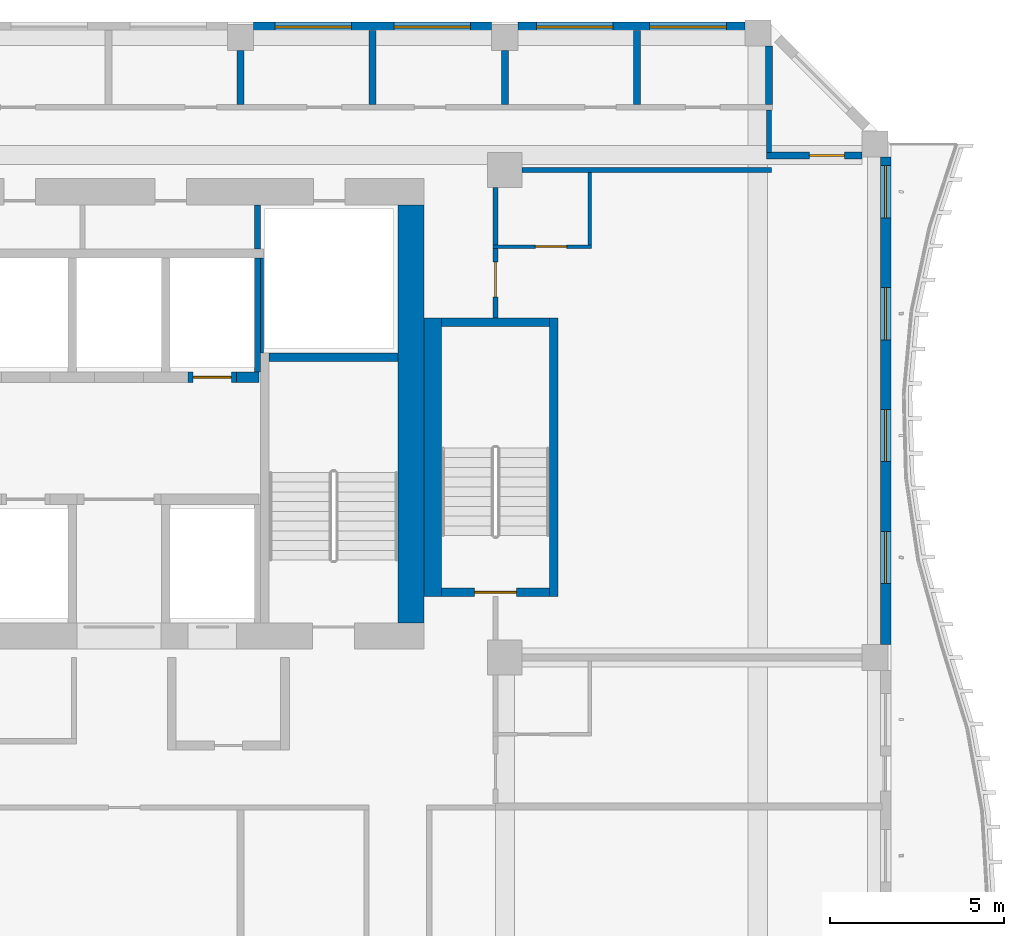
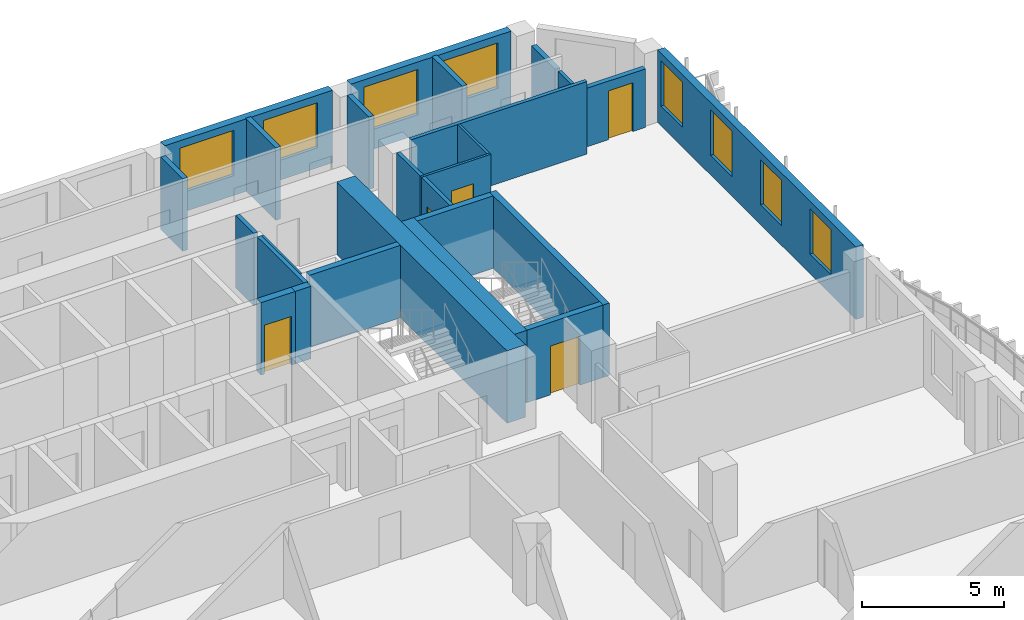
# One storey, part 10 of 23: 26 walls, 8 windows, 5 doors, 13 openings.
"""IFC4 building model written with IfcOpenShell, lengths in metres."""

from ifc_helpers import new_model, si_unit, direction, frame, frame_2d, origin, place, context, subcontext, project, spatial, rectangle, extrude, source, transform, mapped, material, layer, layer_set, type_object, element, fill, save


model = new_model("IFC4")

# Units and contexts
model_context = context("Model", 3, precision=1e-05, world=origin(), true_north=direction((0.0, 1.0)))
body_context = subcontext(model_context, "Body", "Model", "MODEL_VIEW")
ifc_project = project(units=[si_unit("LENGTHUNIT", "METRE"), si_unit("AREAUNIT", "SQUARE_METRE"), si_unit("VOLUMEUNIT", "CUBIC_METRE"), si_unit("PLANEANGLEUNIT", "RADIAN"), si_unit("MASSUNIT", "GRAM", prefix="KILO")], contexts=[model_context])

# Site, building, storey
site_placement = place(None, origin())
site = spatial("IfcSite", under=ifc_project, at=site_placement, CompositionType="ELEMENT")
building_placement = place(site_placement, origin())
building = spatial("IfcBuilding", under=site, at=building_placement, Name="Kilnfold Tower and Market Hall", CompositionType="ELEMENT")
storey_placement = place(building_placement, frame((0.0, 0.0, 203.300048828125)))
storey = spatial("IfcBuildingStorey", under=building, at=storey_placement, Name="L49", CompositionType="ELEMENT", Elevation=203.300048828125)

# Wall, opening, door
ifc_material_1 = material(Name="Gypsum board on steel studs", Category="steel")
ifc_layer_1 = layer(ifc_material_1, 0.14990234375)
ifc_layer_set_1 = layer_set([ifc_layer_1], Name="Gypsum board on steel studs")
wall_type_1 = type_object("IfcWallType", Name="WALL CORRIDOR 150", PredefinedType="PARTITIONING", material=ifc_layer_set_1)
wall_1_placement = place(storey_placement, frame((19.89990234375, 17.75, 0.0), z_axis=(0.0, 0.0, 1.0), x_axis=(0.0, 1.0, 0.0)))
wall_1 = element("IfcWall", 1, at=wall_1_placement, inside=storey, type_object=wall_type_1, Name="Partition LY30.20", PredefinedType="PARTITIONING", context=body_context, shape_type="SweptSolid", body=[
    extrude(rectangle(XDim=2.010009765625, YDim=0.14990234375, at=frame_2d((1.0048828125, 0.0))), origin(), (0.0, 0.0, 1.0), 3.119873046875),
])
opening_1_placement = place(wall_1_placement, frame((0.60693359375, 0.0, 0.0)))
opening_1 = element("IfcOpeningElement", 2, at=opening_1_placement, cuts=wall_1, Name="Opening D1", PredefinedType="OPENING", context=body_context, shape_type="SweptSolid", body=[
    extrude(rectangle(XDim=1.0, YDim=2.10009765625, at=frame_2d((0.5, 1.050048828125))), frame((0.0, 0.0849609375, 0.0), z_axis=(0.0, -1.0, 0.0), x_axis=(1.0, 0.0, 0.0)), (0.0, 0.0, 1.0), 0.169921875),
])
ifc_material_2 = material(Name="Timber veneer door leaf in steel frame", Category="steel")
door_type_1 = type_object("IfcDoorType", Name="DOOR ENTRY 1000 X2100", OperationType="NOTDEFINED", PredefinedType="DOOR", material=ifc_material_2)
door_1_placement = place(opening_1_placement, origin())
door_1 = element("IfcDoor", 3, at=door_1_placement, inside=storey, type_object=door_type_1, Name="Door D1", OperationType="SINGLE_SWING_LEFT", OverallHeight=2.10009765625, OverallWidth=1.0, PredefinedType="DOOR", context=body_context, shape_type="SweptSolid", body=[
    extrude(rectangle(XDim=1.0, YDim=2.10009765625, at=frame_2d((0.5, 1.050048828125))), frame((0.0, 0.02490234375, 0.0), z_axis=(0.0, -1.0, 0.0), x_axis=(1.0, 0.0, 0.0)), (0.0, 0.0, 1.0), 0.050048828125),
])
fill(opening_1, door_1)

# Walls
wall_2_placement = place(storey_placement, frame((20.6669921875, 22.0, 0.0), z_axis=(0.0, 0.0, 1.0), x_axis=(1.0, 0.0, 0.0)))
element("IfcWall", 4, at=wall_2_placement, inside=storey, type_object=wall_type_1, Name="Partition LY30.22", PredefinedType="PARTITIONING", context=body_context, shape_type="SweptSolid", body=[
    extrude(rectangle(XDim=7.157958984375, YDim=0.14990234375, at=frame_2d((3.5791015625, 0.0))), origin(), (0.0, 0.0, 1.0), 3.119873046875),
])
wall_3_placement = place(storey_placement, frame((19.89990234375, 19.840087890625, 0.0), z_axis=(0.0, 0.0, 1.0), x_axis=(0.0, 1.0, 0.0)))
element("IfcWall", 5, at=wall_3_placement, inside=storey, type_object=wall_type_1, Name="Partition LY30.23", PredefinedType="PARTITIONING", context=body_context, shape_type="SweptSolid", body=[
    extrude(rectangle(XDim=1.659912109375, YDim=0.14990234375, at=frame_2d((0.830078125, 0.0))), origin(), (0.0, 0.0, 1.0), 3.119873046875),
])
wall_4_placement = place(storey_placement, frame((27.75, 22.5029296875, 0.0), z_axis=(0.0, 0.0, 1.0), x_axis=(0.0, 1.0, 0.0)))
element("IfcWall", 6, at=wall_4_placement, inside=storey, type_object=wall_type_1, Name="Partition LY30.24", PredefinedType="PARTITIONING", context=body_context, shape_type="SweptSolid", body=[
    extrude(rectangle(XDim=1.22216796875, YDim=0.14990234375, at=frame_2d((0.611083984375, 0.0))), origin(), (0.0, 0.0, 1.0), 2.52001953125),
])

# Wall, opening, door
ifc_material_3 = material(Name="Gypsum board on steel studs", Category="steel")
ifc_layer_2 = layer(ifc_material_3, 0.10009765625)
ifc_layer_set_2 = layer_set([ifc_layer_2], Name="Gypsum board on steel studs")
wall_type_2 = type_object("IfcWallType", Name="WALL PARTITION 100", PredefinedType="PARTITIONING", material=ifc_layer_set_2)
wall_5_placement = place(storey_placement, frame((22.652099609375, 19.800048828125, 0.0), z_axis=(0.0, 0.0, 1.0), x_axis=(-1.0, 0.0, 0.0)))
wall_5 = element("IfcWall", 7, at=wall_5_placement, inside=storey, type_object=wall_type_2, Name="Partition LY30.93", PredefinedType="PARTITIONING", context=body_context, shape_type="SweptSolid", body=[
    extrude(rectangle(XDim=2.8251953125, YDim=0.10009765625, at=frame_2d((1.41259765625, 0.0))), origin(), (0.0, 0.0, 1.0), 3.119873046875),
])
opening_2_placement = place(wall_5_placement, frame((0.7080078125, 0.0, 0.0)))
opening_2 = element("IfcOpeningElement", 8, at=opening_2_placement, cuts=wall_5, Name="Opening D3", PredefinedType="OPENING", context=body_context, shape_type="SweptSolid", body=[
    extrude(rectangle(XDim=0.89990234375, YDim=2.10009765625, at=frame_2d((0.449951171875, 1.050048828125))), frame((0.0, 0.06005859375, 0.0), z_axis=(0.0, -1.0, 0.0), x_axis=(1.0, 0.0, 0.0)), (0.0, 0.0, 1.0), 0.1201171875),
])
ifc_material_4 = material(Name="Timber veneer door leaf in steel frame", Category="steel")
door_type_2 = type_object("IfcDoorType", Name="DOOR WC 900 X2100", OperationType="NOTDEFINED", PredefinedType="DOOR", material=ifc_material_4)
door_2_placement = place(opening_2_placement, origin())
door_2 = element("IfcDoor", 9, at=door_2_placement, inside=storey, type_object=door_type_2, Name="Door D3", OperationType="SINGLE_SWING_RIGHT", OverallHeight=2.10009765625, OverallWidth=0.89990234375, PredefinedType="DOOR", context=body_context, shape_type="SweptSolid", body=[
    extrude(rectangle(XDim=0.89990234375, YDim=2.10009765625, at=frame_2d((0.449951171875, 1.050048828125))), frame((0.0, 0.02490234375, 0.0), z_axis=(0.0, -1.0, 0.0), x_axis=(1.0, 0.0, 0.0)), (0.0, 0.0, 1.0), 0.050048828125),
])
fill(opening_2, door_2)

# Wall
wall_6_placement = place(storey_placement, frame((22.60205078125, 19.85009765625, 0.0), z_axis=(0.0, 0.0, 1.0), x_axis=(0.0, 1.0, 0.0)))
element("IfcWall", 10, at=wall_6_placement, inside=storey, type_object=wall_type_2, Name="Partition LY30.94", PredefinedType="PARTITIONING", context=body_context, shape_type="SweptSolid", body=[
    extrude(rectangle(XDim=2.072998046875, YDim=0.10009765625, at=frame_2d((1.03662109375, 0.0))), origin(), (0.0, 0.0, 1.0), 3.119873046875),
])

# Wall, opening, door
ifc_material_5 = material(Name="Gypsum board on steel studs", Category="steel")
ifc_layer_3 = layer(ifc_material_5, 0.199951171875)
ifc_layer_set_3 = layer_set([ifc_layer_3], Name="Gypsum board on steel studs")
wall_type_3 = type_object("IfcWallType", Name="WALL PARTY 200", PredefinedType="PARTITIONING", material=ifc_layer_set_3)
wall_7_placement = place(storey_placement, frame((30.425048828125, 22.4130859375, 0.0), z_axis=(0.0, 0.0, 1.0), x_axis=(-1.0, 0.0, 0.0)))
wall_7 = element("IfcWall", 11, at=wall_7_placement, inside=storey, type_object=wall_type_3, Name="Partition LY30.95", PredefinedType="PARTITIONING", context=body_context, shape_type="SweptSolid", body=[
    extrude(rectangle(XDim=2.748046875, YDim=0.199951171875, at=frame_2d((1.3740234375, 0.0))), origin(), (0.0, 0.0, 1.0), 2.52001953125),
])
opening_3_placement = place(wall_7_placement, frame((0.510986328125, 0.0, 0.0)))
opening_3 = element("IfcOpeningElement", 12, at=opening_3_placement, cuts=wall_7, Name="Opening D4", PredefinedType="OPENING", context=body_context, shape_type="SweptSolid", body=[
    extrude(rectangle(XDim=1.0, YDim=2.10009765625, at=frame_2d((0.5, 1.050048828125))), frame((0.0, 0.10986328125, 0.0), z_axis=(0.0, -1.0, 0.0), x_axis=(1.0, 0.0, 0.0)), (0.0, 0.0, 1.0), 0.219970703125),
])
ifc_material_6 = material(Name="Timber veneer door leaf in steel frame", Category="steel")
door_type_3 = type_object("IfcDoorType", Name="DOOR SERVICE 1000 X2100", OperationType="NOTDEFINED", PredefinedType="DOOR", material=ifc_material_6)
door_3_placement = place(opening_3_placement, origin())
door_3 = element("IfcDoor", 13, at=door_3_placement, inside=storey, type_object=door_type_3, Name="Door D4", OperationType="SINGLE_SWING_RIGHT", OverallHeight=2.10009765625, OverallWidth=1.0, PredefinedType="DOOR", context=body_context, shape_type="SweptSolid", body=[
    extrude(rectangle(XDim=1.0, YDim=2.10009765625, at=frame_2d((0.5, 1.050048828125))), frame((0.0, 0.02490234375, 0.0), z_axis=(0.0, -1.0, 0.0), x_axis=(1.0, 0.0, 0.0)), (0.0, 0.0, 1.0), 0.050048828125),
])
fill(opening_3, door_3)

# Walls
wall_8_placement = place(storey_placement, frame((27.75, 25.556884765625, 0.0), z_axis=(0.0, 0.0, 1.0), x_axis=(0.0, -1.0, 0.0)))
element("IfcWall", 14, at=wall_8_placement, inside=storey, type_object=wall_type_3, Name="Partition LY30.96", PredefinedType="PARTITIONING", context=body_context, shape_type="SweptSolid", body=[
    extrude(rectangle(XDim=1.679931640625, YDim=0.199951171875, at=frame_2d((0.83984375, 0.0))), origin(), (0.0, 0.0, 1.0), 2.52001953125),
])
wall_9_placement = place(storey_placement, frame((12.5830078125, 23.876953125, 0.0), z_axis=(0.0, 0.0, 1.0), x_axis=(0.0, 1.0, 0.0)))
element("IfcWall", 15, at=wall_9_placement, inside=storey, type_object=wall_type_3, Name="Partition LY30.106", PredefinedType="PARTITIONING", context=body_context, shape_type="SweptSolid", body=[
    extrude(rectangle(XDim=1.548095703125, YDim=0.199951171875, at=frame_2d((0.77392578125, 0.0))), origin(), (0.0, 0.0, 1.0), 3.119873046875),
])
wall_10_placement = place(storey_placement, frame((16.375, 23.876953125, 0.0), z_axis=(0.0, 0.0, 1.0), x_axis=(0.0, 1.0, 0.0)))
element("IfcWall", 16, at=wall_10_placement, inside=storey, type_object=wall_type_3, Name="Partition LY30.107", PredefinedType="PARTITIONING", context=body_context, shape_type="SweptSolid", body=[
    extrude(rectangle(XDim=2.123046875, YDim=0.199951171875, at=frame_2d((1.0615234375, 0.0))), origin(), (0.0, 0.0, 1.0), 3.119873046875),
])
wall_11_placement = place(storey_placement, frame((20.1669921875, 23.876953125, 0.0), z_axis=(0.0, 0.0, 1.0), x_axis=(0.0, 1.0, 0.0)))
element("IfcWall", 17, at=wall_11_placement, inside=storey, type_object=wall_type_3, Name="Partition LY30.108", PredefinedType="PARTITIONING", context=body_context, shape_type="SweptSolid", body=[
    extrude(rectangle(XDim=1.548095703125, YDim=0.199951171875, at=frame_2d((0.77392578125, 0.0))), origin(), (0.0, 0.0, 1.0), 3.119873046875),
])
wall_12_placement = place(storey_placement, frame((23.958984375, 23.876953125, 0.0), z_axis=(0.0, 0.0, 1.0), x_axis=(0.0, 1.0, 0.0)))
element("IfcWall", 18, at=wall_12_placement, inside=storey, type_object=wall_type_3, Name="Partition LY30.109", PredefinedType="PARTITIONING", context=body_context, shape_type="SweptSolid", body=[
    extrude(rectangle(XDim=2.123046875, YDim=0.199951171875, at=frame_2d((1.0615234375, 0.0))), origin(), (0.0, 0.0, 1.0), 3.119873046875),
])
ifc_material_7 = material(Name="Concrete C60", Category="concrete")
ifc_layer_4 = layer(ifc_material_7, 0.25)
ifc_layer_set_4 = layer_set([ifc_layer_4], Name="Concrete C60")
wall_type_4 = type_object("IfcWallType", Name="CORE WALL 250 C60", PredefinedType="SHEAR", material=ifc_layer_set_4)
shared_shape_1 = source(origin(), body_context, "Body", "SweptSolid", [
    extrude(rectangle(XDim=3.7001953125, YDim=0.25, at=frame_2d((1.85009765625, 0.0))), origin(), (0.0, 0.0, 1.0), 3.119873046875),
])
wall_13_placement = place(storey_placement, frame((13.39990234375, 16.625, 0.0), z_axis=(0.0, 0.0, 1.0), x_axis=(1.0, 0.0, 0.0)))
element("IfcWall", 19, at=wall_13_placement, inside=storey, type_object=wall_type_4, Name="Stair enclosure ST2", PredefinedType="SHEAR", context=body_context, shape_type="MappedRepresentation", body=[
    mapped(shared_shape_1, transform((0.0, 0.0, 0.0))),
])
shared_shape_2 = source(origin(), body_context, "Body", "SweptSolid", [
    extrude(rectangle(XDim=8.0, YDim=0.25, at=frame_2d((4.0, 0.0))), origin(), (0.0, 0.0, 1.0), 3.119873046875),
])
wall_14_placement = place(storey_placement, frame((21.574951171875, 9.75, 0.0), z_axis=(0.0, 0.0, 1.0), x_axis=(0.0, 1.0, 0.0)))
element("IfcWall", 20, at=wall_14_placement, inside=storey, type_object=wall_type_4, Name="Stair enclosure ST5", PredefinedType="SHEAR", context=body_context, shape_type="MappedRepresentation", body=[
    mapped(shared_shape_2, transform((0.0, 0.0, 0.0))),
])

# Wall, opening, door
shared_shape_3 = source(origin(), body_context, "Body", "SweptSolid", [
    extrude(rectangle(XDim=3.099853515625, YDim=0.25, at=frame_2d((1.5498046875, 0.0))), origin(), (0.0, 0.0, 1.0), 3.119873046875),
])
wall_15_placement = place(storey_placement, frame((18.35009765625, 9.875, 0.0), z_axis=(0.0, 0.0, 1.0), x_axis=(1.0, 0.0, 0.0)))
wall_15 = element("IfcWall", 21, at=wall_15_placement, inside=storey, type_object=wall_type_4, Name="Stair enclosure ST5", PredefinedType="SHEAR", context=body_context, shape_type="MappedRepresentation", body=[
    mapped(shared_shape_3, transform((0.0, 0.0, 0.0))),
])
opening_4_placement = place(wall_15_placement, frame((0.949951171875, 0.0, 0.0)))
opening_4 = element("IfcOpeningElement", 22, at=opening_4_placement, cuts=wall_15, Name="Opening SD1", PredefinedType="OPENING", context=body_context, shape_type="SweptSolid", body=[
    extrude(rectangle(XDim=1.199951171875, YDim=2.10009765625, at=frame_2d((0.60009765625, 1.050048828125))), frame((0.0, 0.135009765625, 0.0), z_axis=(0.0, -1.0, 0.0), x_axis=(1.0, 0.0, 0.0)), (0.0, 0.0, 1.0), 0.27001953125),
])
ifc_material_8 = material(Name="Steel door set with fire-resisting leaf", Category="steel")
door_type_4 = type_object("IfcDoorType", Name="STAIR FLOOR DOOR 1200X2100", OperationType="NOTDEFINED", PredefinedType="DOOR", material=ifc_material_8)
door_4_placement = place(opening_4_placement, origin())
door_4 = element("IfcDoor", 23, at=door_4_placement, inside=storey, type_object=door_type_4, Name="Exit stair ST5 door", OperationType="DOUBLE_DOOR_SINGLE_SWING", OverallHeight=2.10009765625, OverallWidth=1.199951171875, PredefinedType="DOOR", context=body_context, shape_type="SweptSolid", body=[
    extrude(rectangle(XDim=1.199951171875, YDim=2.10009765625, at=frame_2d((0.60009765625, 1.050048828125))), frame((0.0, 0.02490234375, 0.0), z_axis=(0.0, -1.0, 0.0), x_axis=(1.0, 0.0, 0.0)), (0.0, 0.0, 1.0), 0.050048828125),
])
fill(opening_4, door_4)

# Walls
wall_16_placement = place(storey_placement, frame((18.35009765625, 17.625, 0.0), z_axis=(0.0, 0.0, 1.0), x_axis=(1.0, 0.0, 0.0)))
element("IfcWall", 24, at=wall_16_placement, inside=storey, type_object=wall_type_4, Name="Stair enclosure ST5", PredefinedType="SHEAR", context=body_context, shape_type="MappedRepresentation", body=[
    mapped(shared_shape_3, transform((0.0, 0.0, 0.0))),
])
ifc_material_9 = material(Name="Concrete C60", Category="concrete")
ifc_layer_5 = layer(ifc_material_9, 0.300048828125)
ifc_layer_set_5 = layer_set([ifc_layer_5], Name="Concrete C60")
wall_type_5 = type_object("IfcWallType", Name="CORE WALL 300 C60", PredefinedType="SHEAR", material=ifc_layer_set_5)
shared_shape_4 = source(origin(), body_context, "Body", "SweptSolid", [
    extrude(rectangle(XDim=0.64013671875, YDim=0.300048828125, at=frame_2d((0.320068359375, 0.0))), origin(), (0.0, 0.0, 1.0), 3.119873046875),
])
wall_17_placement = place(storey_placement, frame((12.469970703125, 16.050048828125, 0.0), z_axis=(0.0, 0.0, 1.0), x_axis=(1.0, 0.0, 0.0)))
element("IfcWall", 25, at=wall_17_placement, inside=storey, type_object=wall_type_5, Name="Core spine wall", PredefinedType="SHEAR", context=body_context, shape_type="MappedRepresentation", body=[
    mapped(shared_shape_4, transform((0.0, 0.0, 0.0))),
])
ifc_material_10 = material(Name="Concrete C60", Category="concrete")
ifc_layer_6 = layer(ifc_material_10, 0.75)
ifc_layer_set_6 = layer_set([ifc_layer_6], Name="Concrete C60")
wall_type_6 = type_object("IfcWallType", Name="CORE WALL 750 C60", PredefinedType="SHEAR", material=ifc_layer_set_6)
shared_shape_5 = source(origin(), body_context, "Body", "SweptSolid", [
    extrude(rectangle(XDim=12.0, YDim=0.75, at=frame_2d((6.0, 0.0))), origin(), (0.0, 0.0, 1.0), 3.119873046875),
])
wall_18_placement = place(storey_placement, frame((17.47509765625, 9.0, 0.0), z_axis=(0.0, 0.0, 1.0), x_axis=(0.0, 1.0, 0.0)))
element("IfcWall", 26, at=wall_18_placement, inside=storey, type_object=wall_type_6, Name="Core outer wall east", PredefinedType="SHEAR", context=body_context, shape_type="MappedRepresentation", body=[
    mapped(shared_shape_5, transform((0.0, 0.0, 0.0))),
])
ifc_material_11 = material(Name="Concrete C60", Category="concrete")
ifc_layer_7 = layer(ifc_material_11, 0.5)
ifc_layer_set_7 = layer_set([ifc_layer_7], Name="Concrete C60")
wall_type_7 = type_object("IfcWallType", Name="CORE WALL 500 C60", PredefinedType="SHEAR", material=ifc_layer_set_7)
shared_shape_6 = source(origin(), body_context, "Body", "SweptSolid", [
    extrude(rectangle(XDim=8.0, YDim=0.5, at=frame_2d((4.0, 0.0))), origin(), (0.0, 0.0, 1.0), 3.119873046875),
])
wall_19_placement = place(storey_placement, frame((18.10009765625, 9.75, 0.0), z_axis=(0.0, 0.0, 1.0), x_axis=(0.0, 1.0, 0.0)))
element("IfcWall", 27, at=wall_19_placement, inside=storey, type_object=wall_type_7, Name="Stair enclosure ST5", PredefinedType="SHEAR", context=body_context, shape_type="MappedRepresentation", body=[
    mapped(shared_shape_6, transform((0.0, 0.0, 0.0))),
])

# Wall, openings, windows
ifc_material_12 = material(Name="Precast concrete C50/60", Category="concrete")
ifc_layer_8 = layer(ifc_material_12, 0.300048828125)
ifc_layer_set_8 = layer_set([ifc_layer_8], Name="Precast concrete C50/60")
wall_type_8 = type_object("IfcWallType", Name="PRECAST WALL 300", PredefinedType="SOLIDWALL", material=ifc_layer_set_8)
shared_shape_7 = source(origin(), body_context, "Body", "SweptSolid", [
    extrude(rectangle(XDim=6.83349609375, YDim=0.300048828125, at=frame_2d((3.416748046875, 0.0))), origin(), (0.0, 0.0, 1.0), 3.119873046875),
])
wall_20_placement = place(storey_placement, frame((19.791748046875, 26.10009765625, 0.0), z_axis=(0.0, 0.0, 1.0), x_axis=(-1.0, 0.0, 0.0)))
wall_20 = element("IfcWall", 28, at=wall_20_placement, inside=storey, type_object=wall_type_8, Name="External wall L49 N", PredefinedType="SOLIDWALL", context=body_context, shape_type="MappedRepresentation", body=[
    mapped(shared_shape_7, transform((0.0, 0.0, 0.0))),
])
opening_5_placement = place(wall_20_placement, frame((0.6083984375, 0.0, 0.85009765625)))
opening_5 = element("IfcOpeningElement", 29, at=opening_5_placement, cuts=wall_20, Name="Opening W2", PredefinedType="OPENING", context=body_context, shape_type="SweptSolid", body=[
    extrude(rectangle(XDim=2.199951171875, YDim=1.949951171875, at=frame_2d((1.10009765625, 0.97509765625))), frame((0.0, 0.16015625, 0.0), z_axis=(0.0, -1.0, 0.0), x_axis=(1.0, 0.0, 0.0)), (0.0, 0.0, 1.0), 0.320068359375),
])
opening_6_placement = place(wall_20_placement, frame((4.02490234375, 0.0, 0.85009765625)))
opening_6 = element("IfcOpeningElement", 30, at=opening_6_placement, cuts=wall_20, Name="Opening W2", PredefinedType="OPENING", context=body_context, shape_type="SweptSolid", body=[
    extrude(rectangle(XDim=2.199951171875, YDim=1.949951171875, at=frame_2d((1.10009765625, 0.97509765625))), frame((0.0, 0.16015625, 0.0), z_axis=(0.0, -1.0, 0.0), x_axis=(1.0, 0.0, 0.0)), (0.0, 0.0, 1.0), 0.320068359375),
])
ifc_material_13 = material(Name="Aluminium frame and double glazing", Category="aluminium")
window_type_1 = type_object("IfcWindowType", Name="WINDOW W2 2200X1950", PartitioningType="SINGLE_PANEL", PredefinedType="WINDOW", material=ifc_material_13)
window_1_placement = place(opening_5_placement, origin())
window_1 = element("IfcWindow", 31, at=window_1_placement, inside=storey, type_object=window_type_1, Name="Window W2 L49 N-1", OverallHeight=1.949951171875, OverallWidth=2.199951171875, PartitioningType="SINGLE_PANEL", PredefinedType="WINDOW", context=body_context, shape_type="SweptSolid", body=[
    extrude(rectangle(XDim=2.199951171875, YDim=1.949951171875, at=frame_2d((1.10009765625, 0.97509765625))), frame((0.0, 0.030029296875, 0.0), z_axis=(0.0, -1.0, 0.0), x_axis=(1.0, 0.0, 0.0)), (0.0, 0.0, 1.0), 0.06005859375),
])
fill(opening_5, window_1)
window_2_placement = place(opening_6_placement, origin())
window_2 = element("IfcWindow", 32, at=window_2_placement, inside=storey, type_object=window_type_1, Name="Window W2 L49 N-2", OverallHeight=1.949951171875, OverallWidth=2.199951171875, PartitioningType="SINGLE_PANEL", PredefinedType="WINDOW", context=body_context, shape_type="SweptSolid", body=[
    extrude(rectangle(XDim=2.199951171875, YDim=1.949951171875, at=frame_2d((1.10009765625, 0.97509765625))), frame((0.0, 0.030029296875, 0.0), z_axis=(0.0, -1.0, 0.0), x_axis=(1.0, 0.0, 0.0)), (0.0, 0.0, 1.0), 0.06005859375),
])
fill(opening_6, window_2)

shared_shape_8 = source(origin(), body_context, "Body", "SweptSolid", [
    extrude(rectangle(XDim=14.0, YDim=0.300048828125, at=frame_2d((7.0, 0.0))), origin(), (0.0, 0.0, 1.0), 3.119873046875),
])
wall_21_placement = place(storey_placement, frame((31.10009765625, 8.375, 0.0), z_axis=(0.0, 0.0, 1.0), x_axis=(0.0, 1.0, 0.0)))
wall_21 = element("IfcWall", 33, at=wall_21_placement, inside=storey, type_object=wall_type_8, Name="External wall L49 E", PredefinedType="SOLIDWALL", context=body_context, shape_type="MappedRepresentation", body=[
    mapped(shared_shape_8, transform((0.0, 0.0, 0.0))),
])
opening_7_placement = place(wall_21_placement, frame((1.75, 0.0, 0.85009765625)))
opening_7 = element("IfcOpeningElement", 34, at=opening_7_placement, cuts=wall_21, Name="Opening W4", PredefinedType="OPENING", context=body_context, shape_type="SweptSolid", body=[
    extrude(rectangle(XDim=1.5, YDim=1.949951171875, at=frame_2d((0.75, 0.97509765625))), frame((0.0, 0.16015625, 0.0), z_axis=(0.0, -1.0, 0.0), x_axis=(1.0, 0.0, 0.0)), (0.0, 0.0, 1.0), 0.320068359375),
])
opening_8_placement = place(wall_21_placement, frame((5.25, 0.0, 0.85009765625)))
opening_8 = element("IfcOpeningElement", 35, at=opening_8_placement, cuts=wall_21, Name="Opening W4", PredefinedType="OPENING", context=body_context, shape_type="SweptSolid", body=[
    extrude(rectangle(XDim=1.5, YDim=1.949951171875, at=frame_2d((0.75, 0.97509765625))), frame((0.0, 0.16015625, 0.0), z_axis=(0.0, -1.0, 0.0), x_axis=(1.0, 0.0, 0.0)), (0.0, 0.0, 1.0), 0.320068359375),
])
opening_9_placement = place(wall_21_placement, frame((8.75, 0.0, 0.85009765625)))
opening_9 = element("IfcOpeningElement", 36, at=opening_9_placement, cuts=wall_21, Name="Opening W4", PredefinedType="OPENING", context=body_context, shape_type="SweptSolid", body=[
    extrude(rectangle(XDim=1.5, YDim=1.949951171875, at=frame_2d((0.75, 0.97509765625))), frame((0.0, 0.16015625, 0.0), z_axis=(0.0, -1.0, 0.0), x_axis=(1.0, 0.0, 0.0)), (0.0, 0.0, 1.0), 0.320068359375),
])
opening_10_placement = place(wall_21_placement, frame((12.25, 0.0, 0.85009765625)))
opening_10 = element("IfcOpeningElement", 37, at=opening_10_placement, cuts=wall_21, Name="Opening W4", PredefinedType="OPENING", context=body_context, shape_type="SweptSolid", body=[
    extrude(rectangle(XDim=1.5, YDim=1.949951171875, at=frame_2d((0.75, 0.97509765625))), frame((0.0, 0.16015625, 0.0), z_axis=(0.0, -1.0, 0.0), x_axis=(1.0, 0.0, 0.0)), (0.0, 0.0, 1.0), 0.320068359375),
])
ifc_material_14 = material(Name="Aluminium frame and double glazing", Category="aluminium")
window_type_2 = type_object("IfcWindowType", Name="WINDOW W4 1500X1950", PartitioningType="SINGLE_PANEL", PredefinedType="WINDOW", material=ifc_material_14)
window_3_placement = place(opening_7_placement, origin())
window_3 = element("IfcWindow", 38, at=window_3_placement, inside=storey, type_object=window_type_2, Name="Window W4 L49 E-1", OverallHeight=1.949951171875, OverallWidth=1.5, PartitioningType="SINGLE_PANEL", PredefinedType="WINDOW", context=body_context, shape_type="SweptSolid", body=[
    extrude(rectangle(XDim=1.5, YDim=1.949951171875, at=frame_2d((0.75, 0.97509765625))), frame((0.0, 0.030029296875, 0.0), z_axis=(0.0, -1.0, 0.0), x_axis=(1.0, 0.0, 0.0)), (0.0, 0.0, 1.0), 0.06005859375),
])
fill(opening_7, window_3)
window_4_placement = place(opening_8_placement, origin())
window_4 = element("IfcWindow", 39, at=window_4_placement, inside=storey, type_object=window_type_2, Name="Window W4 L49 E-2", OverallHeight=1.949951171875, OverallWidth=1.5, PartitioningType="SINGLE_PANEL", PredefinedType="WINDOW", context=body_context, shape_type="SweptSolid", body=[
    extrude(rectangle(XDim=1.5, YDim=1.949951171875, at=frame_2d((0.75, 0.97509765625))), frame((0.0, 0.030029296875, 0.0), z_axis=(0.0, -1.0, 0.0), x_axis=(1.0, 0.0, 0.0)), (0.0, 0.0, 1.0), 0.06005859375),
])
fill(opening_8, window_4)
window_5_placement = place(opening_9_placement, origin())
window_5 = element("IfcWindow", 40, at=window_5_placement, inside=storey, type_object=window_type_2, Name="Window W4 L49 E-3", OverallHeight=1.949951171875, OverallWidth=1.5, PartitioningType="SINGLE_PANEL", PredefinedType="WINDOW", context=body_context, shape_type="SweptSolid", body=[
    extrude(rectangle(XDim=1.5, YDim=1.949951171875, at=frame_2d((0.75, 0.97509765625))), frame((0.0, 0.030029296875, 0.0), z_axis=(0.0, -1.0, 0.0), x_axis=(1.0, 0.0, 0.0)), (0.0, 0.0, 1.0), 0.06005859375),
])
fill(opening_9, window_5)
window_6_placement = place(opening_10_placement, origin())
window_6 = element("IfcWindow", 41, at=window_6_placement, inside=storey, type_object=window_type_2, Name="Window W4 L49 E-4", OverallHeight=1.949951171875, OverallWidth=1.5, PartitioningType="SINGLE_PANEL", PredefinedType="WINDOW", context=body_context, shape_type="SweptSolid", body=[
    extrude(rectangle(XDim=1.5, YDim=1.949951171875, at=frame_2d((0.75, 0.97509765625))), frame((0.0, 0.030029296875, 0.0), z_axis=(0.0, -1.0, 0.0), x_axis=(1.0, 0.0, 0.0)), (0.0, 0.0, 1.0), 0.06005859375),
])
fill(opening_10, window_6)

shared_shape_9 = source(origin(), body_context, "Body", "SweptSolid", [
    extrude(rectangle(XDim=6.51513671875, YDim=0.300048828125, at=frame_2d((3.257568359375, 0.0))), origin(), (0.0, 0.0, 1.0), 3.119873046875),
])
wall_22_placement = place(storey_placement, frame((27.056884765625, 26.10009765625, 0.0), z_axis=(0.0, 0.0, 1.0), x_axis=(-1.0, 0.0, 0.0)))
wall_22 = element("IfcWall", 42, at=wall_22_placement, inside=storey, type_object=wall_type_8, Name="External wall L49 N", PredefinedType="SOLIDWALL", context=body_context, shape_type="MappedRepresentation", body=[
    mapped(shared_shape_9, transform((0.0, 0.0, 0.0))),
])
opening_11_placement = place(wall_22_placement, frame((0.52880859375, 0.0, 0.85009765625)))
opening_11 = element("IfcOpeningElement", 43, at=opening_11_placement, cuts=wall_22, Name="Opening W2", PredefinedType="OPENING", context=body_context, shape_type="SweptSolid", body=[
    extrude(rectangle(XDim=2.199951171875, YDim=1.949951171875, at=frame_2d((1.10009765625, 0.97509765625))), frame((0.0, 0.16015625, 0.0), z_axis=(0.0, -1.0, 0.0), x_axis=(1.0, 0.0, 0.0)), (0.0, 0.0, 1.0), 0.320068359375),
])
opening_12_placement = place(wall_22_placement, frame((3.786376953125, 0.0, 0.85009765625)))
opening_12 = element("IfcOpeningElement", 44, at=opening_12_placement, cuts=wall_22, Name="Opening W2", PredefinedType="OPENING", context=body_context, shape_type="SweptSolid", body=[
    extrude(rectangle(XDim=2.199951171875, YDim=1.949951171875, at=frame_2d((1.10009765625, 0.97509765625))), frame((0.0, 0.16015625, 0.0), z_axis=(0.0, -1.0, 0.0), x_axis=(1.0, 0.0, 0.0)), (0.0, 0.0, 1.0), 0.320068359375),
])
window_7_placement = place(opening_11_placement, origin())
window_7 = element("IfcWindow", 45, at=window_7_placement, inside=storey, type_object=window_type_1, Name="Window W2 L49 N-1", OverallHeight=1.949951171875, OverallWidth=2.199951171875, PartitioningType="SINGLE_PANEL", PredefinedType="WINDOW", context=body_context, shape_type="SweptSolid", body=[
    extrude(rectangle(XDim=2.199951171875, YDim=1.949951171875, at=frame_2d((1.10009765625, 0.97509765625))), frame((0.0, 0.030029296875, 0.0), z_axis=(0.0, -1.0, 0.0), x_axis=(1.0, 0.0, 0.0)), (0.0, 0.0, 1.0), 0.06005859375),
])
fill(opening_11, window_7)
window_8_placement = place(opening_12_placement, origin())
window_8 = element("IfcWindow", 46, at=window_8_placement, inside=storey, type_object=window_type_1, Name="Window W2 L49 N-2", OverallHeight=1.949951171875, OverallWidth=2.199951171875, PartitioningType="SINGLE_PANEL", PredefinedType="WINDOW", context=body_context, shape_type="SweptSolid", body=[
    extrude(rectangle(XDim=2.199951171875, YDim=1.949951171875, at=frame_2d((1.10009765625, 0.97509765625))), frame((0.0, 0.030029296875, 0.0), z_axis=(0.0, -1.0, 0.0), x_axis=(1.0, 0.0, 0.0)), (0.0, 0.0, 1.0), 0.06005859375),
])
fill(opening_12, window_8)

# Wall, opening, door
ifc_material_15 = material(Name="Gypsum shaft wall system")
ifc_layer_9 = layer(ifc_material_15, 0.300048828125)
ifc_layer_set_9 = layer_set([ifc_layer_9], Name="Gypsum shaft wall system")
wall_type_9 = type_object("IfcWallType", Name="SHAFT WALL 300", PredefinedType="PARTITIONING", material=ifc_layer_set_9)
shared_shape_10 = source(origin(), body_context, "Body", "SweptSolid", [
    extrude(rectangle(XDim=1.39990234375, YDim=0.300048828125, at=frame_2d((0.699951171875, 0.0))), origin(), (0.0, 0.0, 1.0), 3.119873046875),
])
wall_23_placement = place(storey_placement, frame((11.070068359375, 16.050048828125, 0.0), z_axis=(0.0, 0.0, 1.0), x_axis=(1.0, 0.0, 0.0)))
wall_23 = element("IfcWall", 47, at=wall_23_placement, inside=storey, type_object=wall_type_9, Name="Lift shaft front wall", PredefinedType="PARTITIONING", context=body_context, shape_type="MappedRepresentation", body=[
    mapped(shared_shape_10, transform((0.0, 0.0, 0.0))),
])
opening_13_placement = place(wall_23_placement, frame((0.14990234375, 0.0, 0.0)))
opening_13 = element("IfcOpeningElement", 48, at=opening_13_placement, cuts=wall_23, Name="Opening LD2", PredefinedType="OPENING", context=body_context, shape_type="SweptSolid", body=[
    extrude(rectangle(XDim=1.10009765625, YDim=2.10009765625, at=frame_2d((0.550048828125, 1.050048828125))), frame((0.0, 0.16015625, 0.0), z_axis=(0.0, -1.0, 0.0), x_axis=(1.0, 0.0, 0.0)), (0.0, 0.0, 1.0), 0.320068359375),
])
ifc_material_16 = material(Name="Steel door set with fire-resisting leaf", Category="steel")
door_type_5 = type_object("IfcDoorType", Name="LANDING DOOR 1100X2100", OperationType="NOTDEFINED", PredefinedType="DOOR", material=ifc_material_16)
door_5_placement = place(opening_13_placement, origin())
door_5 = element("IfcDoor", 49, at=door_5_placement, inside=storey, type_object=door_type_5, Name="Landing door MR6", OperationType="DOUBLE_DOOR_SLIDING", OverallHeight=2.10009765625, OverallWidth=1.10009765625, PredefinedType="DOOR", context=body_context, shape_type="SweptSolid", body=[
    extrude(rectangle(XDim=1.10009765625, YDim=2.10009765625, at=frame_2d((0.550048828125, 1.050048828125))), frame((0.0, 0.02490234375, 0.0), z_axis=(0.0, -1.0, 0.0), x_axis=(1.0, 0.0, 0.0)), (0.0, 0.0, 1.0), 0.050048828125),
])
fill(opening_13, door_5)

# Walls
ifc_material_17 = material(Name="Gypsum shaft wall system")
ifc_layer_10 = layer(ifc_material_17, 0.1650390625)
ifc_layer_set_10 = layer_set([ifc_layer_10], Name="Gypsum shaft wall system")
wall_type_10 = type_object("IfcWallType", Name="SHAFT WALL 165", PredefinedType="PARTITIONING", material=ifc_layer_set_10)
shared_shape_11 = source(origin(), body_context, "Body", "SweptSolid", [
    extrude(rectangle(XDim=3.275146484375, YDim=0.1650390625, at=frame_2d((1.6376953125, 0.0))), origin(), (0.0, 0.0, 1.0), 3.119873046875),
])
wall_24_placement = place(storey_placement, frame((13.0673828125, 16.199951171875, 0.0), z_axis=(0.0, 0.0, 1.0), x_axis=(0.0, 1.0, 0.0)))
element("IfcWall", 50, at=wall_24_placement, inside=storey, type_object=wall_type_10, Name="Lift shaft wall", PredefinedType="PARTITIONING", context=body_context, shape_type="MappedRepresentation", body=[
    mapped(shared_shape_11, transform((0.0, 0.0, 0.0))),
])
shared_shape_12 = source(origin(), body_context, "Body", "SweptSolid", [
    extrude(rectangle(XDim=1.27490234375, YDim=0.1650390625, at=frame_2d((0.637451171875, 0.0))), origin(), (0.0, 0.0, 1.0), 3.119873046875),
])
wall_25_placement = place(storey_placement, frame((13.0673828125, 19.72509765625, 0.0), z_axis=(0.0, 0.0, 1.0), x_axis=(0.0, 1.0, 0.0)))
element("IfcWall", 51, at=wall_25_placement, inside=storey, type_object=wall_type_10, Name="Lift shaft wall", PredefinedType="PARTITIONING", context=body_context, shape_type="MappedRepresentation", body=[
    mapped(shared_shape_12, transform((0.0, 0.0, 0.0))),
])
ifc_material_18 = material(Name="Gypsum shaft wall system")
ifc_layer_11 = layer(ifc_material_18, 0.0849609375)
ifc_layer_set_11 = layer_set([ifc_layer_11], Name="Gypsum shaft wall system")
wall_type_11 = type_object("IfcWallType", Name="SHAFT WALL 85", PredefinedType="PARTITIONING", material=ifc_layer_set_11)
shared_shape_13 = source(origin(), body_context, "Body", "SweptSolid", [
    extrude(rectangle(XDim=2.72509765625, YDim=0.0849609375, at=frame_2d((1.362548828125, 0.0))), origin(), (0.0, 0.0, 1.0), 3.119873046875),
])
wall_26_placement = place(storey_placement, frame((13.1923828125, 16.75, 0.0), z_axis=(0.0, 0.0, 1.0), x_axis=(0.0, 1.0, 0.0)))
element("IfcWall", 52, at=wall_26_placement, inside=storey, type_object=wall_type_11, Name="Lift shaft wall", PredefinedType="PARTITIONING", context=body_context, shape_type="MappedRepresentation", body=[
    mapped(shared_shape_13, transform((0.0, 0.0, 0.0))),
])

save(model, "model.ifc")
